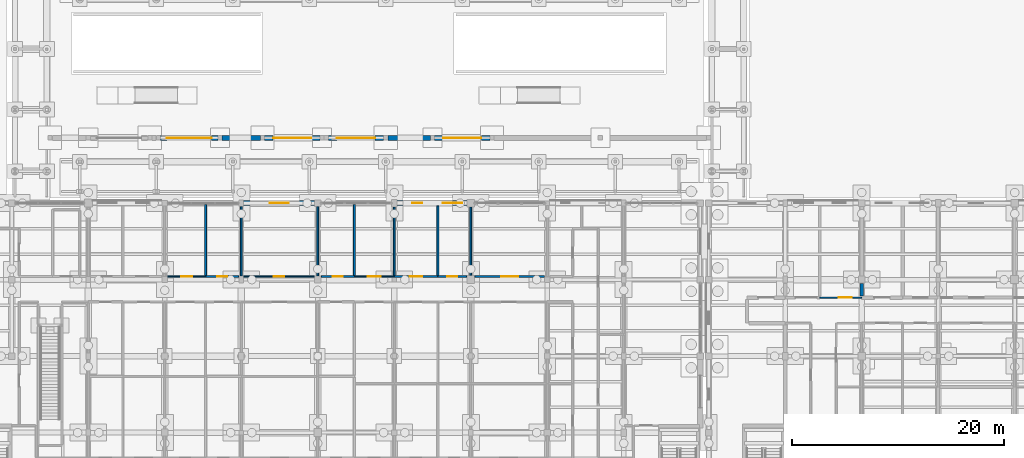
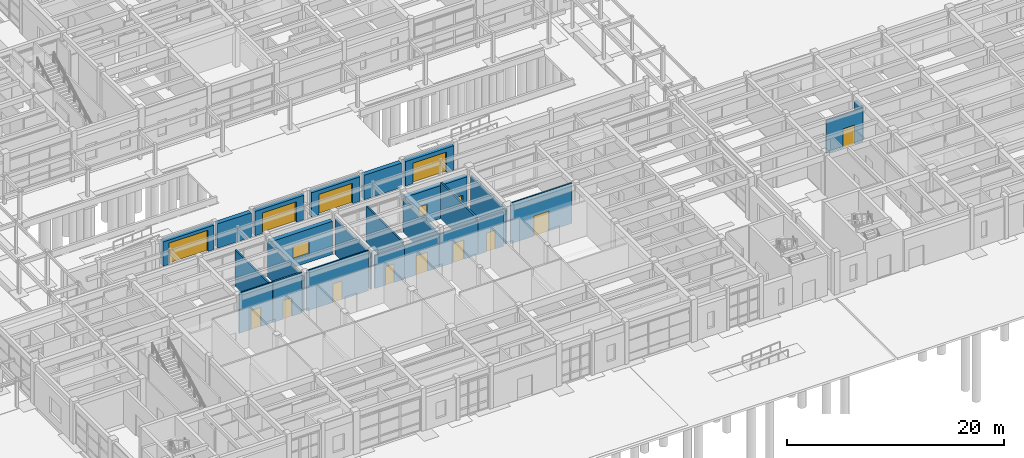
# One storey, part 102 of 143: 25 walls, 13 doors, 3 windows, 16 openings.
"""IFC4 building model written with IfcOpenShell, lengths in metres."""

from ifc_helpers import new_model, si_unit, direction, frame, frame_2d, origin, place, context, subcontext, project, spatial, rectangle, extrude, material, layer, layer_set, type_object, element, fill, save


model = new_model("IFC4")

# Units and contexts
model_context = context("Model", 3, precision=1e-05, world=origin(), true_north=direction((0.0, 1.0)))
body_context = subcontext(model_context, "Body", "Model", "MODEL_VIEW")
ifc_project = project(units=[si_unit("LENGTHUNIT", "METRE"), si_unit("AREAUNIT", "SQUARE_METRE"), si_unit("VOLUMEUNIT", "CUBIC_METRE"), si_unit("PLANEANGLEUNIT", "RADIAN"), si_unit("MASSUNIT", "GRAM", prefix="KILO")], contexts=[model_context])

# Site, building, storey
site_placement = place(None, origin())
site = spatial("IfcSite", under=ifc_project, at=site_placement, CompositionType="ELEMENT")
building_placement = place(site_placement, origin())
building = spatial("IfcBuilding", under=site, at=building_placement, Name="Steenspoor Specialist Clinic", CompositionType="ELEMENT")
storey_placement = place(building_placement, origin())
storey = spatial("IfcBuildingStorey", under=building, at=storey_placement, Name="L00", CompositionType="ELEMENT", Elevation=0.0)

# Wall, opening, window
ifc_material_1 = material(Name="Volcanic basalt ashlar masonry", Category="masonry")
ifc_layer_1 = layer(ifc_material_1, 0.47998046875)
ifc_layer_set_1 = layer_set([ifc_layer_1], Name="Volcanic basalt ashlar masonry")
wall_type_1 = type_object("IfcWallType", Name="W-BASALT-480", PredefinedType="SOLIDWALL", material=ifc_layer_set_1)
wall_1_placement = place(storey_placement, frame((74.22509765625, 41.85009765625, 0.0), z_axis=(0.0, 0.0, 1.0), x_axis=(1.0, 0.0, 0.0)))
wall_1 = element("IfcWall", 1, at=wall_1_placement, inside=storey, type_object=wall_type_1, Name="Exterior Brick Wall EW-V1-L00-0013", PredefinedType="SOLIDWALL", context=body_context, shape_type="SweptSolid", body=[
    extrude(rectangle(XDim=6.6748046875, YDim=0.47998046875, at=frame_2d((3.33740234375, 0.0))), origin(), (0.0, 0.0, 1.0), 3.72998046875),
])
opening_1_placement = place(wall_1_placement, frame((2.4375, 0.0, 0.89990234375)))
opening_1 = element("IfcOpeningElement", 2, at=opening_1_placement, cuts=wall_1, Name="Opening WN-13", PredefinedType="OPENING", context=body_context, shape_type="SweptSolid", body=[
    extrude(rectangle(XDim=1.800048828125, YDim=1.5, at=frame_2d((0.89990234375, 0.75))), frame((0.0, 0.25, 0.0), z_axis=(0.0, -1.0, 0.0), x_axis=(1.0, 0.0, 0.0)), (0.0, 0.0, 1.0), 0.5),
])
ifc_material_2 = material(Name="Thermally broken aluminium and low-emissivity glass", Category="aluminium")
window_type_1 = type_object("IfcWindowType", Name="WN-EXT-180X150", PartitioningType="SINGLE_PANEL", PredefinedType="WINDOW", material=ifc_material_2)
window_1_placement = place(opening_1_placement, origin())
window_1 = element("IfcWindow", 3, at=window_1_placement, inside=storey, type_object=window_type_1, Name="Window 0013", OverallHeight=1.5, OverallWidth=1.800048828125, PartitioningType="SINGLE_PANEL", PredefinedType="WINDOW", context=body_context, shape_type="SweptSolid", body=[
    extrude(rectangle(XDim=1.800048828125, YDim=1.5, at=frame_2d((0.89990234375, 0.75))), frame((0.0, 0.030029296875, 0.0), z_axis=(0.0, -1.0, 0.0), x_axis=(1.0, 0.0, 0.0)), (0.0, 0.0, 1.0), 0.06005859375),
])
fill(opening_1, window_1)

# Wall, openings, windows
wall_2_placement = place(storey_placement, frame((88.64990234375, 41.85009765625, 0.0), z_axis=(0.0, 0.0, 1.0), x_axis=(1.0, 0.0, 0.0)))
wall_2 = element("IfcWall", 4, at=wall_2_placement, inside=storey, type_object=wall_type_1, Name="Exterior Brick Wall EW-V1-L00-0014", PredefinedType="SOLIDWALL", context=body_context, shape_type="SweptSolid", body=[
    extrude(rectangle(XDim=6.60009765625, YDim=0.47998046875, at=frame_2d((3.300048828125, 0.0))), origin(), (0.0, 0.0, 1.0), 3.72998046875),
])
opening_2_placement = place(wall_2_placement, frame((1.465087890625, 0.0, 0.89990234375)))
opening_2 = element("IfcOpeningElement", 5, at=opening_2_placement, cuts=wall_2, Name="Opening WN-21", PredefinedType="OPENING", context=body_context, shape_type="SweptSolid", body=[
    extrude(rectangle(XDim=0.89990234375, YDim=1.199951171875, at=frame_2d((0.449951171875, 0.60009765625))), frame((0.0, 0.25, 0.0), z_axis=(0.0, -1.0, 0.0), x_axis=(1.0, 0.0, 0.0)), (0.0, 0.0, 1.0), 0.5),
])
opening_3_placement = place(wall_2_placement, frame((4.3349609375, 0.0, 0.89990234375)))
opening_3 = element("IfcOpeningElement", 6, at=opening_3_placement, cuts=wall_2, Name="Opening WN-22", PredefinedType="OPENING", context=body_context, shape_type="SweptSolid", body=[
    extrude(rectangle(XDim=1.800048828125, YDim=0.89990234375, at=frame_2d((0.89990234375, 0.449951171875))), frame((0.0, 0.25, 0.0), z_axis=(0.0, -1.0, 0.0), x_axis=(1.0, 0.0, 0.0)), (0.0, 0.0, 1.0), 0.5),
])
window_type_2 = type_object("IfcWindowType", Name="WN-EXT-090X120", PartitioningType="SINGLE_PANEL", PredefinedType="WINDOW", material=ifc_material_2)
window_2_placement = place(opening_2_placement, origin())
window_2 = element("IfcWindow", 7, at=window_2_placement, inside=storey, type_object=window_type_2, Name="Window 0014", OverallHeight=1.199951171875, OverallWidth=0.89990234375, PartitioningType="SINGLE_PANEL", PredefinedType="WINDOW", context=body_context, shape_type="SweptSolid", body=[
    extrude(rectangle(XDim=0.89990234375, YDim=1.199951171875, at=frame_2d((0.449951171875, 0.60009765625))), frame((0.0, 0.030029296875, 0.0), z_axis=(0.0, -1.0, 0.0), x_axis=(1.0, 0.0, 0.0)), (0.0, 0.0, 1.0), 0.06005859375),
])
fill(opening_2, window_2)
window_type_3 = type_object("IfcWindowType", Name="WN-EXT-180X090", PartitioningType="SINGLE_PANEL", PredefinedType="WINDOW", material=ifc_material_2)
window_3_placement = place(opening_3_placement, origin())
window_3 = element("IfcWindow", 8, at=window_3_placement, inside=storey, type_object=window_type_3, Name="Window 0015", OverallHeight=0.89990234375, OverallWidth=1.800048828125, PartitioningType="SINGLE_PANEL", PredefinedType="WINDOW", context=body_context, shape_type="SweptSolid", body=[
    extrude(rectangle(XDim=1.800048828125, YDim=0.89990234375, at=frame_2d((0.89990234375, 0.449951171875))), frame((0.0, 0.030029296875, 0.0), z_axis=(0.0, -1.0, 0.0), x_axis=(1.0, 0.0, 0.0)), (0.0, 0.0, 1.0), 0.06005859375),
])
fill(opening_3, window_3)

# Walls
wall_3_placement = place(storey_placement, frame((72.2099609375, 48.0, 0.0), z_axis=(0.0, 0.0, 1.0), x_axis=(1.0, 0.0, 0.0)))
element("IfcWall", 9, at=wall_3_placement, inside=storey, type_object=wall_type_1, Name="Campus Courtyard Screen Wall YW-CT-03", PredefinedType="SOLIDWALL", context=body_context, shape_type="SweptSolid", body=[
    extrude(rectangle(XDim=3.580078125, YDim=0.47998046875, at=frame_2d((1.7900390625, 0.0))), origin(), (0.0, 0.0, 1.0), 2.75),
])
wall_4_placement = place(storey_placement, frame((87.81005859375, 48.0, 0.0), z_axis=(0.0, 0.0, 1.0), x_axis=(1.0, 0.0, 0.0)))
element("IfcWall", 10, at=wall_4_placement, inside=storey, type_object=wall_type_1, Name="Campus Courtyard Screen Wall YW-CT-05", PredefinedType="SOLIDWALL", context=body_context, shape_type="SweptSolid", body=[
    extrude(rectangle(XDim=3.97998046875, YDim=0.47998046875, at=frame_2d((1.989990234375, 0.0))), origin(), (0.0, 0.0, 1.0), 2.75),
])

# Wall, opening, door
wall_5_placement = place(storey_placement, frame((66.405029296875, 48.0, 0.0), z_axis=(0.0, 0.0, 1.0), x_axis=(1.0, 0.0, 0.0)))
wall_5 = element("IfcWall", 11, at=wall_5_placement, inside=storey, type_object=wall_type_1, Name="Portal Basalt Wall GT03", PredefinedType="SOLIDWALL", context=body_context, shape_type="SweptSolid", body=[
    extrude(rectangle(XDim=5.389892578125, YDim=0.47998046875, at=frame_2d((2.69482421875, 0.0))), origin(), (0.0, 0.0, 1.0), 2.75),
])
opening_4_placement = place(wall_5_placement, frame((0.594970703125, 0.0, 0.0)))
opening_4 = element("IfcOpeningElement", 12, at=opening_4_placement, cuts=wall_5, Name="Opening GT03", PredefinedType="OPENING", context=body_context, shape_type="SweptSolid", body=[
    extrude(rectangle(XDim=4.199951171875, YDim=2.39990234375, at=frame_2d((2.10009765625, 1.199951171875))), frame((0.0, 0.25, 0.0), z_axis=(0.0, -1.0, 0.0), x_axis=(1.0, 0.0, 0.0)), (0.0, 0.0, 1.0), 0.5),
])
ifc_material_3 = material(Name="Painted wrought-iron steel gate", Category="steel")
door_type_1 = type_object("IfcDoorType", Name="DT-GATE-420X240", OperationType="NOTDEFINED", PredefinedType="GATE", material=ifc_material_3)
door_1_placement = place(opening_4_placement, origin())
door_1 = element("IfcDoor", 13, at=door_1_placement, inside=storey, type_object=door_type_1, Name="Service Yard Vehicle Gate GT03", OperationType="DOUBLE_DOOR_SINGLE_SWING", OverallHeight=2.39990234375, OverallWidth=4.199951171875, PredefinedType="GATE", context=body_context, shape_type="SweptSolid", body=[
    extrude(rectangle(XDim=4.199951171875, YDim=2.39990234375, at=frame_2d((2.10009765625, 1.199951171875))), frame((0.0, 0.02490234375, 0.0), z_axis=(0.0, -1.0, 0.0), x_axis=(1.0, 0.0, 0.0)), (0.0, 0.0, 1.0), 0.050048828125),
])
fill(opening_4, door_1)

wall_6_placement = place(storey_placement, frame((76.205078125, 48.0, 0.0), z_axis=(0.0, 0.0, 1.0), x_axis=(1.0, 0.0, 0.0)))
wall_6 = element("IfcWall", 14, at=wall_6_placement, inside=storey, type_object=wall_type_1, Name="Portal Basalt Wall GT04", PredefinedType="SOLIDWALL", context=body_context, shape_type="SweptSolid", body=[
    extrude(rectangle(XDim=5.18994140625, YDim=0.47998046875, at=frame_2d((2.594970703125, 0.0))), origin(), (0.0, 0.0, 1.0), 2.75),
])
opening_5_placement = place(wall_6_placement, frame((0.794921875, 0.0, 0.0)))
opening_5 = element("IfcOpeningElement", 15, at=opening_5_placement, cuts=wall_6, Name="Opening GT04", PredefinedType="OPENING", context=body_context, shape_type="SweptSolid", body=[
    extrude(rectangle(XDim=3.60009765625, YDim=2.300048828125, at=frame_2d((1.800048828125, 1.14990234375))), frame((0.0, 0.25, 0.0), z_axis=(0.0, -1.0, 0.0), x_axis=(1.0, 0.0, 0.0)), (0.0, 0.0, 1.0), 0.5),
])
door_type_2 = type_object("IfcDoorType", Name="DT-GATE-360X230", OperationType="NOTDEFINED", PredefinedType="GATE", material=ifc_material_3)
door_2_placement = place(opening_5_placement, origin())
door_2 = element("IfcDoor", 16, at=door_2_placement, inside=storey, type_object=door_type_2, Name="West Courtyard Gate GT04", OperationType="DOUBLE_DOOR_SINGLE_SWING", OverallHeight=2.300048828125, OverallWidth=3.60009765625, PredefinedType="GATE", context=body_context, shape_type="SweptSolid", body=[
    extrude(rectangle(XDim=3.60009765625, YDim=2.300048828125, at=frame_2d((1.800048828125, 1.14990234375))), frame((0.0, 0.02490234375, 0.0), z_axis=(0.0, -1.0, 0.0), x_axis=(1.0, 0.0, 0.0)), (0.0, 0.0, 1.0), 0.050048828125),
])
fill(opening_5, door_2)

wall_7_placement = place(storey_placement, frame((82.205078125, 48.0, 0.0), z_axis=(0.0, 0.0, 1.0), x_axis=(1.0, 0.0, 0.0)))
wall_7 = element("IfcWall", 17, at=wall_7_placement, inside=storey, type_object=wall_type_1, Name="Portal Basalt Wall GT05", PredefinedType="SOLIDWALL", context=body_context, shape_type="SweptSolid", body=[
    extrude(rectangle(XDim=5.18994140625, YDim=0.47998046875, at=frame_2d((2.594970703125, 0.0))), origin(), (0.0, 0.0, 1.0), 2.75),
])
opening_6_placement = place(wall_7_placement, frame((0.794921875, 0.0, 0.0)))
opening_6 = element("IfcOpeningElement", 18, at=opening_6_placement, cuts=wall_7, Name="Opening GT05", PredefinedType="OPENING", context=body_context, shape_type="SweptSolid", body=[
    extrude(rectangle(XDim=3.60009765625, YDim=2.300048828125, at=frame_2d((1.800048828125, 1.14990234375))), frame((0.0, 0.25, 0.0), z_axis=(0.0, -1.0, 0.0), x_axis=(1.0, 0.0, 0.0)), (0.0, 0.0, 1.0), 0.5),
])
door_3_placement = place(opening_6_placement, origin())
door_3 = element("IfcDoor", 19, at=door_3_placement, inside=storey, type_object=door_type_2, Name="Central Courtyard Gate GT05", OperationType="DOUBLE_DOOR_SINGLE_SWING", OverallHeight=2.300048828125, OverallWidth=3.60009765625, PredefinedType="GATE", context=body_context, shape_type="SweptSolid", body=[
    extrude(rectangle(XDim=3.60009765625, YDim=2.300048828125, at=frame_2d((1.800048828125, 1.14990234375))), frame((0.0, 0.02490234375, 0.0), z_axis=(0.0, -1.0, 0.0), x_axis=(1.0, 0.0, 0.0)), (0.0, 0.0, 1.0), 0.050048828125),
])
fill(opening_6, door_3)

wall_8_placement = place(storey_placement, frame((92.205078125, 48.0, 0.0), z_axis=(0.0, 0.0, 1.0), x_axis=(1.0, 0.0, 0.0)))
wall_8 = element("IfcWall", 20, at=wall_8_placement, inside=storey, type_object=wall_type_1, Name="Portal Basalt Wall GT06", PredefinedType="SOLIDWALL", context=body_context, shape_type="SweptSolid", body=[
    extrude(rectangle(XDim=5.18994140625, YDim=0.47998046875, at=frame_2d((2.594970703125, 0.0))), origin(), (0.0, 0.0, 1.0), 2.75),
])
opening_7_placement = place(wall_8_placement, frame((0.794921875, 0.0, 0.0)))
opening_7 = element("IfcOpeningElement", 21, at=opening_7_placement, cuts=wall_8, Name="Opening GT06", PredefinedType="OPENING", context=body_context, shape_type="SweptSolid", body=[
    extrude(rectangle(XDim=3.60009765625, YDim=2.300048828125, at=frame_2d((1.800048828125, 1.14990234375))), frame((0.0, 0.25, 0.0), z_axis=(0.0, -1.0, 0.0), x_axis=(1.0, 0.0, 0.0)), (0.0, 0.0, 1.0), 0.5),
])
door_4_placement = place(opening_7_placement, origin())
door_4 = element("IfcDoor", 22, at=door_4_placement, inside=storey, type_object=door_type_2, Name="East Courtyard Gate GT06", OperationType="DOUBLE_DOOR_SINGLE_SWING", OverallHeight=2.300048828125, OverallWidth=3.60009765625, PredefinedType="GATE", context=body_context, shape_type="SweptSolid", body=[
    extrude(rectangle(XDim=3.60009765625, YDim=2.300048828125, at=frame_2d((1.800048828125, 1.14990234375))), frame((0.0, 0.02490234375, 0.0), z_axis=(0.0, -1.0, 0.0), x_axis=(1.0, 0.0, 0.0)), (0.0, 0.0, 1.0), 0.050048828125),
])
fill(opening_7, door_4)

ifc_material_4 = material(Name="Gypsum acoustic clinical partition", Category="gypsum")
ifc_layer_2 = layer(ifc_material_4, 0.14990234375)
ifc_layer_set_2 = layer_set([ifc_layer_2], Name="Gypsum acoustic clinical partition")
wall_type_2 = type_object("IfcWallType", Name="W-CLIN-150", PredefinedType="PARTITIONING", material=ifc_layer_set_2)
wall_9_placement = place(storey_placement, frame((95.989990234375, 34.949951171875, 0.0), z_axis=(0.0, 0.0, 1.0), x_axis=(1.0, 0.0, 0.0)))
wall_9 = element("IfcWall", 23, at=wall_9_placement, inside=storey, type_object=wall_type_2, Name="Interior Partition IW-V1-L00-0164", PredefinedType="PARTITIONING", context=body_context, shape_type="SweptSolid", body=[
    extrude(rectangle(XDim=6.544921875, YDim=0.14990234375, at=frame_2d((3.2724609375, 0.0))), origin(), (0.0, 0.0, 1.0), 4.550048828125),
])
opening_8_placement = place(wall_9_placement, frame((2.472412109375, 0.0, 0.0)))
opening_8 = element("IfcOpeningElement", 24, at=opening_8_placement, cuts=wall_9, Name="Opening D0047", PredefinedType="OPENING", context=body_context, shape_type="SweptSolid", body=[
    extrude(rectangle(XDim=1.60009765625, YDim=2.25, at=frame_2d((0.800048828125, 1.125))), frame((0.0, 0.0849609375, 0.0), z_axis=(0.0, -1.0, 0.0), x_axis=(1.0, 0.0, 0.0)), (0.0, 0.0, 1.0), 0.169921875),
])
ifc_material_5 = material(Name="Hygienic HPL clinical timber door", Category="wood")
door_type_3 = type_object("IfcDoorType", Name="DT-PROC-160X225", OperationType="NOTDEFINED", PredefinedType="DOOR", material=ifc_material_5)
door_5_placement = place(opening_8_placement, origin())
door_5 = element("IfcDoor", 25, at=door_5_placement, inside=storey, type_object=door_type_3, Name="Clinical Door D0047", OperationType="SINGLE_SWING_RIGHT", OverallHeight=2.25, OverallWidth=1.60009765625, PredefinedType="DOOR", context=body_context, shape_type="SweptSolid", body=[
    extrude(rectangle(XDim=1.60009765625, YDim=2.25, at=frame_2d((0.800048828125, 1.125))), frame((0.0, 0.02490234375, 0.0), z_axis=(0.0, -1.0, 0.0), x_axis=(1.0, 0.0, 0.0)), (0.0, 0.0, 1.0), 0.050048828125),
])
fill(opening_8, door_5)

wall_10_placement = place(storey_placement, frame((88.39990234375, 34.949951171875, 0.0), z_axis=(0.0, 0.0, 1.0), x_axis=(1.0, 0.0, 0.0)))
wall_10 = element("IfcWall", 26, at=wall_10_placement, inside=storey, type_object=wall_type_2, Name="Interior Partition IW-V1-L00-0184", PredefinedType="PARTITIONING", context=body_context, shape_type="SweptSolid", body=[
    extrude(rectangle(XDim=4.085205078125, YDim=0.14990234375, at=frame_2d((2.04248046875, 0.0))), origin(), (0.0, 0.0, 1.0), 3.735107421875),
])
opening_9_placement = place(wall_10_placement, frame((1.467529296875, 0.0, 0.0)))
opening_9 = element("IfcOpeningElement", 27, at=opening_9_placement, cuts=wall_10, Name="Opening D0045", PredefinedType="OPENING", context=body_context, shape_type="SweptSolid", body=[
    extrude(rectangle(XDim=1.14990234375, YDim=2.14990234375, at=frame_2d((0.574951171875, 1.074951171875))), frame((0.0, 0.0849609375, 0.0), z_axis=(0.0, -1.0, 0.0), x_axis=(1.0, 0.0, 0.0)), (0.0, 0.0, 1.0), 0.169921875),
])
ifc_material_6 = material(Name="Solid-core hardwood clinical door", Category="wood")
door_type_4 = type_object("IfcDoorType", Name="DT-CONS-115X215", OperationType="NOTDEFINED", PredefinedType="DOOR", material=ifc_material_6)
door_6_placement = place(opening_9_placement, origin())
door_6 = element("IfcDoor", 28, at=door_6_placement, inside=storey, type_object=door_type_4, Name="Clinical Door D0045", OperationType="SINGLE_SWING_RIGHT", OverallHeight=2.14990234375, OverallWidth=1.14990234375, PredefinedType="DOOR", context=body_context, shape_type="SweptSolid", body=[
    extrude(rectangle(XDim=1.14990234375, YDim=2.14990234375, at=frame_2d((0.574951171875, 1.074951171875))), frame((0.0, 0.02490234375, 0.0), z_axis=(0.0, -1.0, 0.0), x_axis=(1.0, 0.0, 0.0)), (0.0, 0.0, 1.0), 0.050048828125),
])
fill(opening_9, door_6)

# Walls
wall_11_placement = place(storey_placement, frame((88.39990234375, 35.0400390625, 0.0), z_axis=(0.0, 0.0, 1.0), x_axis=(0.0, 1.0, 0.0)))
element("IfcWall", 29, at=wall_11_placement, inside=storey, type_object=wall_type_2, Name="Interior Partition IW-V1-L00-0566", PredefinedType="PARTITIONING", context=body_context, shape_type="SweptSolid", body=[
    extrude(rectangle(XDim=6.445068359375, YDim=0.14990234375, at=frame_2d((3.22265625, 0.0))), origin(), (0.0, 0.0, 1.0), 3.735107421875),
])
ifc_material_7 = material(Name="Acoustic and RF shielded masonry partition", Category="masonry")
ifc_layer_3 = layer(ifc_material_7, 0.320068359375)
ifc_layer_set_3 = layer_set([ifc_layer_3], Name="Acoustic and RF shielded masonry partition")
wall_type_3 = type_object("IfcWallType", Name="W-MRI-320", PredefinedType="PARTITIONING", material=ifc_layer_set_3)
wall_12_placement = place(storey_placement, frame((132.39990234375, 33.125, 0.0), z_axis=(0.0, 0.0, 1.0), x_axis=(0.0, 1.0, 0.0)))
element("IfcWall", 30, at=wall_12_placement, inside=storey, type_object=wall_type_3, Name="Interior Partition IW-V2-L00-0405", PredefinedType="PARTITIONING", context=body_context, shape_type="SweptSolid", body=[
    extrude(rectangle(XDim=1.18505859375, YDim=0.320068359375, at=frame_2d((0.592529296875, 0.0))), origin(), (0.0, 0.0, 1.0), 3.72509765625),
])

# Wall, opening, door
ifc_material_8 = material(Name="Gypsum studio partition board", Category="gypsum")
ifc_layer_4 = layer(ifc_material_8, 0.1201171875)
ifc_layer_set_4 = layer_set([ifc_layer_4], Name="Gypsum studio partition board")
wall_type_4 = type_object("IfcWallType", Name="W-PART-120", PredefinedType="PARTITIONING", material=ifc_layer_set_4)
wall_13_placement = place(storey_placement, frame((67.090087890625, 34.949951171875, 0.0), z_axis=(0.0, 0.0, 1.0), x_axis=(1.0, 0.0, 0.0)))
wall_13 = element("IfcWall", 31, at=wall_13_placement, inside=storey, type_object=wall_type_4, Name="Interior Partition IW-V1-L00-0302", PredefinedType="PARTITIONING", context=body_context, shape_type="SweptSolid", body=[
    extrude(rectangle(XDim=3.544921875, YDim=0.1201171875, at=frame_2d((1.7724609375, 0.0))), origin(), (0.0, 0.0, 1.0), 4.550048828125),
])
opening_10_placement = place(wall_13_placement, frame((1.24755859375, 0.0, 0.0)))
opening_10 = element("IfcOpeningElement", 32, at=opening_10_placement, cuts=wall_13, Name="Opening D0040", PredefinedType="OPENING", context=body_context, shape_type="SweptSolid", body=[
    extrude(rectangle(XDim=1.050048828125, YDim=2.14990234375, at=frame_2d((0.52490234375, 1.074951171875))), frame((0.0, 0.070068359375, 0.0), z_axis=(0.0, -1.0, 0.0), x_axis=(1.0, 0.0, 0.0)), (0.0, 0.0, 1.0), 0.14013671875),
])
ifc_material_9 = material(Name="Solid-core hardwood office door", Category="wood")
door_type_5 = type_object("IfcDoorType", Name="DT-OFF-105X215", OperationType="NOTDEFINED", PredefinedType="DOOR", material=ifc_material_9)
door_7_placement = place(opening_10_placement, origin())
door_7 = element("IfcDoor", 33, at=door_7_placement, inside=storey, type_object=door_type_5, Name="Clinical Door D0040", OperationType="SINGLE_SWING_LEFT", OverallHeight=2.14990234375, OverallWidth=1.050048828125, PredefinedType="DOOR", context=body_context, shape_type="SweptSolid", body=[
    extrude(rectangle(XDim=1.050048828125, YDim=2.14990234375, at=frame_2d((0.52490234375, 1.074951171875))), frame((0.0, 0.02490234375, 0.0), z_axis=(0.0, -1.0, 0.0), x_axis=(1.0, 0.0, 0.0)), (0.0, 0.0, 1.0), 0.050048828125),
])
fill(opening_10, door_7)

wall_14_placement = place(storey_placement, frame((74.239990234375, 34.949951171875, 0.0), z_axis=(0.0, 0.0, 1.0), x_axis=(1.0, 0.0, 0.0)))
wall_14 = element("IfcWall", 34, at=wall_14_placement, inside=storey, type_object=wall_type_4, Name="Interior Partition IW-V1-L00-0303", PredefinedType="PARTITIONING", context=body_context, shape_type="SweptSolid", body=[
    extrude(rectangle(XDim=6.6201171875, YDim=0.1201171875, at=frame_2d((3.31005859375, 0.0))), origin(), (0.0, 0.0, 1.0), 4.550048828125),
])
opening_11_placement = place(wall_14_placement, frame((2.8349609375, 0.0, 0.0)))
opening_11 = element("IfcOpeningElement", 35, at=opening_11_placement, cuts=wall_14, Name="Opening D0042", PredefinedType="OPENING", context=body_context, shape_type="SweptSolid", body=[
    extrude(rectangle(XDim=0.949951171875, YDim=2.10009765625, at=frame_2d((0.47509765625, 1.050048828125))), frame((0.0, 0.070068359375, 0.0), z_axis=(0.0, -1.0, 0.0), x_axis=(1.0, 0.0, 0.0)), (0.0, 0.0, 1.0), 0.14013671875),
])
ifc_material_10 = material(Name="Moisture-resistant HPL sanitary door", Category="wood")
door_type_6 = type_object("IfcDoorType", Name="DT-WC-095X210", OperationType="NOTDEFINED", PredefinedType="DOOR", material=ifc_material_10)
door_8_placement = place(opening_11_placement, origin())
door_8 = element("IfcDoor", 36, at=door_8_placement, inside=storey, type_object=door_type_6, Name="Clinical Door D0042", OperationType="SINGLE_SWING_LEFT", OverallHeight=2.10009765625, OverallWidth=0.949951171875, PredefinedType="DOOR", context=body_context, shape_type="SweptSolid", body=[
    extrude(rectangle(XDim=0.949951171875, YDim=2.10009765625, at=frame_2d((0.47509765625, 1.050048828125))), frame((0.0, 0.02490234375, 0.0), z_axis=(0.0, -1.0, 0.0), x_axis=(1.0, 0.0, 0.0)), (0.0, 0.0, 1.0), 0.050048828125),
])
fill(opening_11, door_8)

wall_15_placement = place(storey_placement, frame((84.6650390625, 34.949951171875, 0.0), z_axis=(0.0, 0.0, 1.0), x_axis=(1.0, 0.0, 0.0)))
wall_15 = element("IfcWall", 37, at=wall_15_placement, inside=storey, type_object=wall_type_4, Name="Interior Partition IW-V1-L00-0304", PredefinedType="PARTITIONING", context=body_context, shape_type="SweptSolid", body=[
    extrude(rectangle(XDim=3.719970703125, YDim=0.1201171875, at=frame_2d((1.85986328125, 0.0))), origin(), (0.0, 0.0, 1.0), 3.735107421875),
])
opening_12_placement = place(wall_15_placement, frame((1.235107421875, 0.0, 0.0)))
opening_12 = element("IfcOpeningElement", 38, at=opening_12_placement, cuts=wall_15, Name="Opening D0044", PredefinedType="OPENING", context=body_context, shape_type="SweptSolid", body=[
    extrude(rectangle(XDim=1.25, YDim=2.14990234375, at=frame_2d((0.625, 1.074951171875))), frame((0.0, 0.070068359375, 0.0), z_axis=(0.0, -1.0, 0.0), x_axis=(1.0, 0.0, 0.0)), (0.0, 0.0, 1.0), 0.14013671875),
])
door_type_7 = type_object("IfcDoorType", Name="DT-EXAM-125X215", OperationType="NOTDEFINED", PredefinedType="DOOR", material=ifc_material_5)
door_9_placement = place(opening_12_placement, origin())
door_9 = element("IfcDoor", 39, at=door_9_placement, inside=storey, type_object=door_type_7, Name="Clinical Door D0044", OperationType="SINGLE_SWING_LEFT", OverallHeight=2.14990234375, OverallWidth=1.25, PredefinedType="DOOR", context=body_context, shape_type="SweptSolid", body=[
    extrude(rectangle(XDim=1.25, YDim=2.14990234375, at=frame_2d((0.625, 1.074951171875))), frame((0.0, 0.02490234375, 0.0), z_axis=(0.0, -1.0, 0.0), x_axis=(1.0, 0.0, 0.0)), (0.0, 0.0, 1.0), 0.050048828125),
])
fill(opening_12, door_9)

wall_16_placement = place(storey_placement, frame((128.465087890625, 32.949951171875, 0.0), z_axis=(0.0, 0.0, 1.0), x_axis=(1.0, 0.0, 0.0)))
wall_16 = element("IfcWall", 40, at=wall_16_placement, inside=storey, type_object=wall_type_4, Name="Interior Partition IW-V2-L00-0315", PredefinedType="PARTITIONING", context=body_context, shape_type="SweptSolid", body=[
    extrude(rectangle(XDim=3.919921875, YDim=0.1201171875, at=frame_2d((1.9599609375, 0.0))), origin(), (0.0, 0.0, 1.0), 3.72509765625),
])
opening_13_placement = place(wall_16_placement, frame((1.76220703125, 0.0, 0.0)))
opening_13 = element("IfcOpeningElement", 41, at=opening_13_placement, cuts=wall_16, Name="Opening D0098", PredefinedType="OPENING", context=body_context, shape_type="SweptSolid", body=[
    extrude(rectangle(XDim=1.25, YDim=2.14990234375, at=frame_2d((0.625, 1.074951171875))), frame((0.0, 0.070068359375, 0.0), z_axis=(0.0, -1.0, 0.0), x_axis=(1.0, 0.0, 0.0)), (0.0, 0.0, 1.0), 0.14013671875),
])
door_10_placement = place(opening_13_placement, origin())
door_10 = element("IfcDoor", 42, at=door_10_placement, inside=storey, type_object=door_type_7, Name="Clinical Door D0098", OperationType="SINGLE_SWING_LEFT", OverallHeight=2.14990234375, OverallWidth=1.25, PredefinedType="DOOR", context=body_context, shape_type="SweptSolid", body=[
    extrude(rectangle(XDim=1.25, YDim=2.14990234375, at=frame_2d((0.625, 1.074951171875))), frame((0.0, 0.02490234375, 0.0), z_axis=(0.0, -1.0, 0.0), x_axis=(1.0, 0.0, 0.0)), (0.0, 0.0, 1.0), 0.050048828125),
])
fill(opening_13, door_10)

ifc_material_11 = material(Name="Moisture-resistant gypsum plumbing wall", Category="gypsum")
ifc_layer_5 = layer(ifc_material_11, 0.179931640625)
ifc_layer_set_5 = layer_set([ifc_layer_5], Name="Moisture-resistant gypsum plumbing wall")
wall_type_5 = type_object("IfcWallType", Name="W-PLUMB-180", PredefinedType="PLUMBINGWALL", material=ifc_layer_set_5)
wall_17_placement = place(storey_placement, frame((70.64990234375, 34.949951171875, 0.0), z_axis=(0.0, 0.0, 1.0), x_axis=(1.0, 0.0, 0.0)))
wall_17 = element("IfcWall", 43, at=wall_17_placement, inside=storey, type_object=wall_type_5, Name="Interior Partition IW-V1-L00-0131", PredefinedType="PLUMBINGWALL", context=body_context, shape_type="SweptSolid", body=[
    extrude(rectangle(XDim=3.110107421875, YDim=0.179931640625, at=frame_2d((1.55517578125, 0.0))), origin(), (0.0, 0.0, 1.0), 4.550048828125),
])
opening_14_placement = place(wall_17_placement, frame((1.080078125, 0.0, 0.0)))
opening_14 = element("IfcOpeningElement", 44, at=opening_14_placement, cuts=wall_17, Name="Opening D0041", PredefinedType="OPENING", context=body_context, shape_type="SweptSolid", body=[
    extrude(rectangle(XDim=0.949951171875, YDim=2.10009765625, at=frame_2d((0.47509765625, 1.050048828125))), frame((0.0, 0.10009765625, 0.0), z_axis=(0.0, -1.0, 0.0), x_axis=(1.0, 0.0, 0.0)), (0.0, 0.0, 1.0), 0.199951171875),
])
door_11_placement = place(opening_14_placement, origin())
door_11 = element("IfcDoor", 45, at=door_11_placement, inside=storey, type_object=door_type_6, Name="Clinical Door D0041", OperationType="SINGLE_SWING_RIGHT", OverallHeight=2.10009765625, OverallWidth=0.949951171875, PredefinedType="DOOR", context=body_context, shape_type="SweptSolid", body=[
    extrude(rectangle(XDim=0.949951171875, YDim=2.10009765625, at=frame_2d((0.47509765625, 1.050048828125))), frame((0.0, 0.02490234375, 0.0), z_axis=(0.0, -1.0, 0.0), x_axis=(1.0, 0.0, 0.0)), (0.0, 0.0, 1.0), 0.050048828125),
])
fill(opening_14, door_11)

wall_18_placement = place(storey_placement, frame((81.5400390625, 34.949951171875, 0.0), z_axis=(0.0, 0.0, 1.0), x_axis=(1.0, 0.0, 0.0)))
wall_18 = element("IfcWall", 46, at=wall_18_placement, inside=storey, type_object=wall_type_5, Name="Interior Partition IW-V1-L00-0132", PredefinedType="PLUMBINGWALL", context=body_context, shape_type="SweptSolid", body=[
    extrude(rectangle(XDim=3.10986328125, YDim=0.179931640625, at=frame_2d((1.554931640625, 0.0))), origin(), (0.0, 0.0, 1.0), 3.735107421875),
])
opening_15_placement = place(wall_18_placement, frame((1.080078125, 0.0, 0.0)))
opening_15 = element("IfcOpeningElement", 47, at=opening_15_placement, cuts=wall_18, Name="Opening D0043", PredefinedType="OPENING", context=body_context, shape_type="SweptSolid", body=[
    extrude(rectangle(XDim=0.949951171875, YDim=2.10009765625, at=frame_2d((0.47509765625, 1.050048828125))), frame((0.0, 0.10009765625, 0.0), z_axis=(0.0, -1.0, 0.0), x_axis=(1.0, 0.0, 0.0)), (0.0, 0.0, 1.0), 0.199951171875),
])
door_12_placement = place(opening_15_placement, origin())
door_12 = element("IfcDoor", 48, at=door_12_placement, inside=storey, type_object=door_type_6, Name="Clinical Door D0043", OperationType="SINGLE_SWING_RIGHT", OverallHeight=2.10009765625, OverallWidth=0.949951171875, PredefinedType="DOOR", context=body_context, shape_type="SweptSolid", body=[
    extrude(rectangle(XDim=0.949951171875, YDim=2.10009765625, at=frame_2d((0.47509765625, 1.050048828125))), frame((0.0, 0.02490234375, 0.0), z_axis=(0.0, -1.0, 0.0), x_axis=(1.0, 0.0, 0.0)), (0.0, 0.0, 1.0), 0.050048828125),
])
fill(opening_15, door_12)

wall_19_placement = place(storey_placement, frame((92.5, 34.949951171875, 0.0), z_axis=(0.0, 0.0, 1.0), x_axis=(1.0, 0.0, 0.0)))
wall_19 = element("IfcWall", 49, at=wall_19_placement, inside=storey, type_object=wall_type_5, Name="Interior Partition IW-V1-L00-0133", PredefinedType="PLUMBINGWALL", context=body_context, shape_type="SweptSolid", body=[
    extrude(rectangle(XDim=2.7099609375, YDim=0.179931640625, at=frame_2d((1.35498046875, 0.0))), origin(), (0.0, 0.0, 1.0), 3.8349609375),
])
opening_16_placement = place(wall_19_placement, frame((0.8798828125, 0.0, 0.0)))
opening_16 = element("IfcOpeningElement", 50, at=opening_16_placement, cuts=wall_19, Name="Opening D0046", PredefinedType="OPENING", context=body_context, shape_type="SweptSolid", body=[
    extrude(rectangle(XDim=0.949951171875, YDim=2.10009765625, at=frame_2d((0.47509765625, 1.050048828125))), frame((0.0, 0.10009765625, 0.0), z_axis=(0.0, -1.0, 0.0), x_axis=(1.0, 0.0, 0.0)), (0.0, 0.0, 1.0), 0.199951171875),
])
door_13_placement = place(opening_16_placement, origin())
door_13 = element("IfcDoor", 51, at=door_13_placement, inside=storey, type_object=door_type_6, Name="Clinical Door D0046", OperationType="SINGLE_SWING_LEFT", OverallHeight=2.10009765625, OverallWidth=0.949951171875, PredefinedType="DOOR", context=body_context, shape_type="SweptSolid", body=[
    extrude(rectangle(XDim=0.949951171875, YDim=2.10009765625, at=frame_2d((0.47509765625, 1.050048828125))), frame((0.0, 0.02490234375, 0.0), z_axis=(0.0, -1.0, 0.0), x_axis=(1.0, 0.0, 0.0)), (0.0, 0.0, 1.0), 0.050048828125),
])
fill(opening_16, door_13)

# Walls
wall_20_placement = place(storey_placement, frame((70.64990234375, 35.054931640625, 0.0), z_axis=(0.0, 0.0, 1.0), x_axis=(0.0, 1.0, 0.0)))
element("IfcWall", 52, at=wall_20_placement, inside=storey, type_object=wall_type_5, Name="Interior Partition IW-V1-L00-0510", PredefinedType="PLUMBINGWALL", context=body_context, shape_type="SweptSolid", body=[
    extrude(rectangle(XDim=6.690185546875, YDim=0.179931640625, at=frame_2d((3.34521484375, 0.0))), origin(), (0.0, 0.0, 1.0), 4.074951171875),
])
wall_21_placement = place(storey_placement, frame((74.0, 34.989990234375, 0.0), z_axis=(0.0, 0.0, 1.0), x_axis=(0.0, 1.0, 0.0)))
element("IfcWall", 53, at=wall_21_placement, inside=storey, type_object=wall_type_5, Name="Interior Partition IW-V1-L00-0511", PredefinedType="PLUMBINGWALL", context=body_context, shape_type="SweptSolid", body=[
    extrude(rectangle(XDim=6.544921875, YDim=0.179931640625, at=frame_2d((3.2724609375, 0.0))), origin(), (0.0, 0.0, 1.0), 3.955078125),
])
wall_22_placement = place(storey_placement, frame((81.199951171875, 34.989990234375, 0.0), z_axis=(0.0, 0.0, 1.0), x_axis=(0.0, 1.0, 0.0)))
element("IfcWall", 54, at=wall_22_placement, inside=storey, type_object=wall_type_5, Name="Interior Partition IW-V1-L00-0512", PredefinedType="PLUMBINGWALL", context=body_context, shape_type="SweptSolid", body=[
    extrude(rectangle(XDim=6.544921875, YDim=0.179931640625, at=frame_2d((3.2724609375, 0.0))), origin(), (0.0, 0.0, 1.0), 3.985107421875),
])
wall_23_placement = place(storey_placement, frame((84.64990234375, 35.054931640625, 0.0), z_axis=(0.0, 0.0, 1.0), x_axis=(0.0, 1.0, 0.0)))
element("IfcWall", 55, at=wall_23_placement, inside=storey, type_object=wall_type_5, Name="Interior Partition IW-V1-L00-0513", PredefinedType="PLUMBINGWALL", context=body_context, shape_type="SweptSolid", body=[
    extrude(rectangle(XDim=6.690185546875, YDim=0.179931640625, at=frame_2d((3.34521484375, 0.0))), origin(), (0.0, 0.0, 1.0), 4.074951171875),
])
wall_24_placement = place(storey_placement, frame((92.5, 35.054931640625, 0.0), z_axis=(0.0, 0.0, 1.0), x_axis=(0.0, 1.0, 0.0)))
element("IfcWall", 56, at=wall_24_placement, inside=storey, type_object=wall_type_5, Name="Interior Partition IW-V1-L00-0514", PredefinedType="PLUMBINGWALL", context=body_context, shape_type="SweptSolid", body=[
    extrude(rectangle(XDim=6.5400390625, YDim=0.179931640625, at=frame_2d((3.27001953125, 0.0))), origin(), (0.0, 0.0, 1.0), 4.074951171875),
])
wall_25_placement = place(storey_placement, frame((95.60009765625, 35.0400390625, 0.0), z_axis=(0.0, 0.0, 1.0), x_axis=(0.0, 1.0, 0.0)))
element("IfcWall", 57, at=wall_25_placement, inside=storey, type_object=wall_type_5, Name="Interior Partition IW-V1-L00-0515", PredefinedType="PLUMBINGWALL", context=body_context, shape_type="SweptSolid", body=[
    extrude(rectangle(XDim=6.445068359375, YDim=0.179931640625, at=frame_2d((3.22265625, 0.0))), origin(), (0.0, 0.0, 1.0), 3.8349609375),
])

save(model, "model.ifc")
